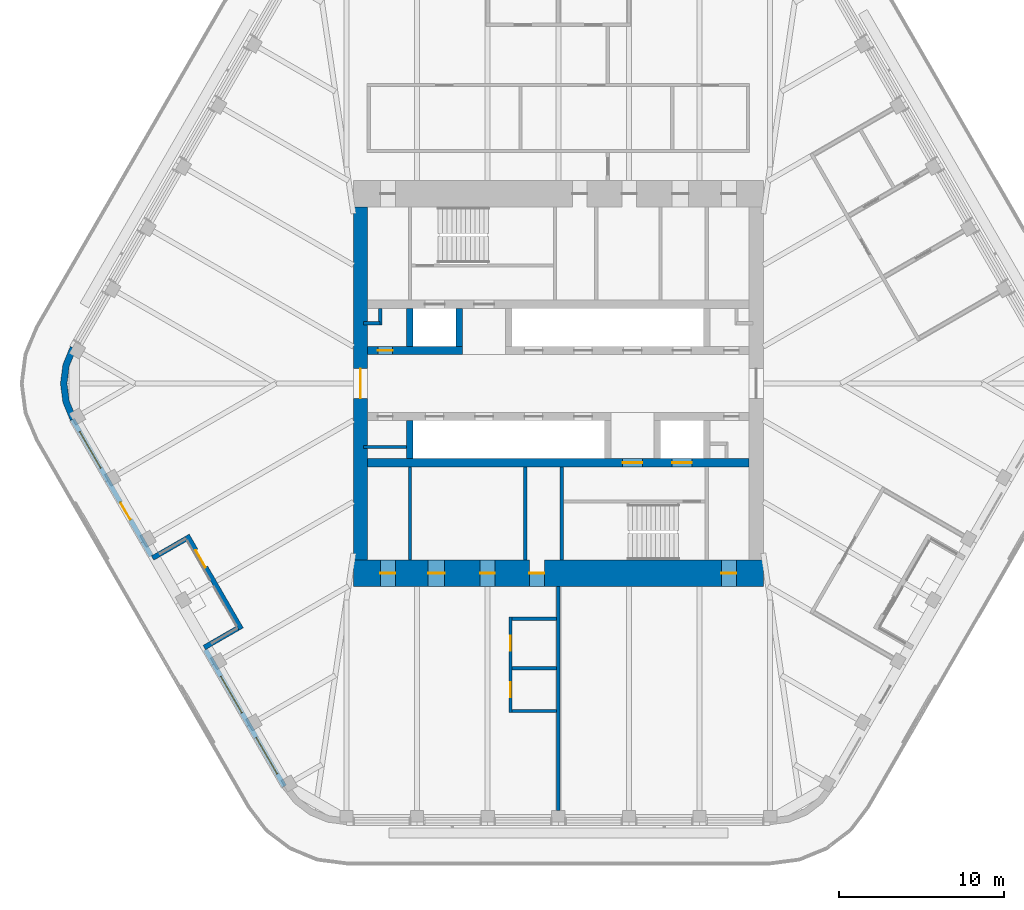
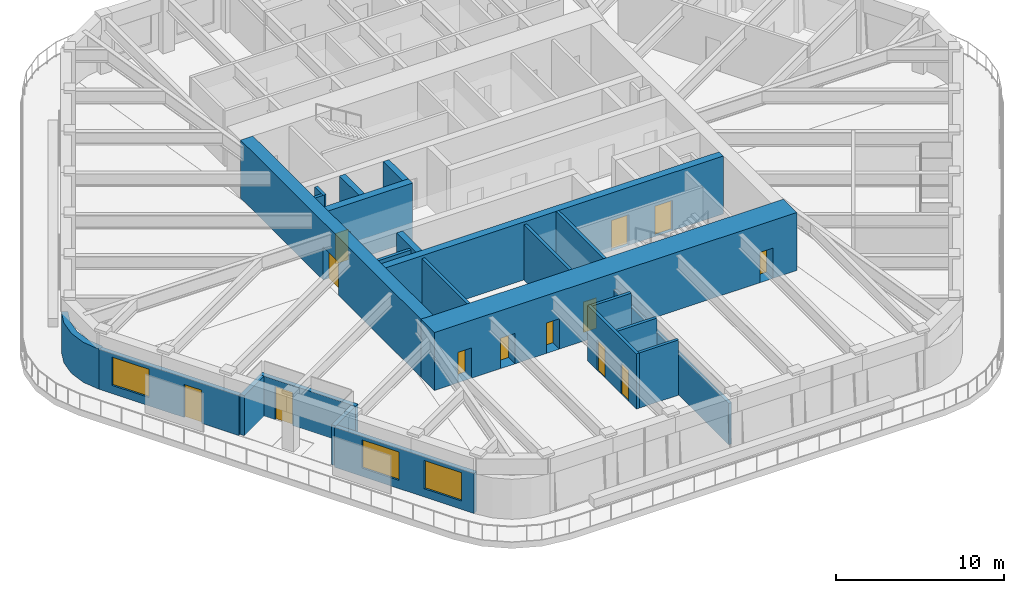
# One storey, part 13 of 19: 24 walls, 13 doors, 3 windows, 16 openings.
"""IFC4 building model written with IfcOpenShell, lengths in metres."""

from ifc_helpers import new_model, si_unit, direction, frame, frame_2d, origin, place, context, subcontext, project, spatial, polyline, rectangle, outline, extrude, material, layer, layer_set, type_object, element, fill, save


model = new_model("IFC4")

# Units and contexts
model_context = context("Model", 3, precision=1e-05, world=origin(), true_north=direction((0.0, 1.0)))
body_context = subcontext(model_context, "Body", "Model", "MODEL_VIEW")
ifc_project = project(units=[si_unit("LENGTHUNIT", "METRE"), si_unit("AREAUNIT", "SQUARE_METRE"), si_unit("VOLUMEUNIT", "CUBIC_METRE"), si_unit("PLANEANGLEUNIT", "RADIAN"), si_unit("MASSUNIT", "GRAM", prefix="KILO")], contexts=[model_context])

# Site, building, storey
site_placement = place(None, origin())
site = spatial("IfcSite", under=ifc_project, at=site_placement, CompositionType="ELEMENT")
building_placement = place(site_placement, origin())
building = spatial("IfcBuilding", under=site, at=building_placement, Name="Tarfa Lantern Tower", CompositionType="ELEMENT")
storey_placement = place(building_placement, frame((0.0, 0.0, 374.5)))
storey = spatial("IfcBuildingStorey", under=building, at=storey_placement, Name="L85", CompositionType="ELEMENT", Elevation=374.5)

# Wall, openings, door, window
ifc_material_1 = material(Name="Limestone cladding on blockwork", Category="masonry")
ifc_layer_1 = layer(ifc_material_1, 0.300048828125)
ifc_layer_set_1 = layer_set([ifc_layer_1], Name="EW1 STONE-CLAD WALL 300")
wall_type_1 = type_object("IfcWallType", Name="EW1 STONE-CLAD WALL 300", PredefinedType="SOLIDWALL", material=ifc_layer_set_1)
wall_1_placement = place(storey_placement, frame((-29.459228515625, -2.175048828125, 0.0), z_axis=(0.0, 0.0, 1.0), x_axis=(0.499996453679, -0.866027451244, 0.0)))
wall_1 = element("IfcWall", 1, at=wall_1_placement, inside=storey, type_object=wall_type_1, Name="Stone wall SW", PredefinedType="SOLIDWALL", context=body_context, shape_type="SweptSolid", body=[
    extrude(rectangle(XDim=9.56396484375, YDim=0.300048828125, at=frame_2d((4.781982421875, 0.0))), origin(), (0.0, 0.0, 1.0), 2.89990234375),
])
opening_1_placement = place(wall_1_placement, frame((0.865966796875, 0.0, 0.60009765625)))
opening_1 = element("IfcOpeningElement", 2, at=opening_1_placement, cuts=wall_1, Name="Opening W17", PredefinedType="OPENING", context=body_context, shape_type="SweptSolid", body=[
    extrude(rectangle(XDim=2.550048828125, YDim=2.050048828125, at=frame_2d((1.27490234375, 1.02490234375))), frame((0.0, 0.159912109375, 0.0), z_axis=(0.0, -1.0, 0.0), x_axis=(1.0, 0.0, 0.0)), (0.0, 0.0, 1.0), 0.320068359375),
])
opening_2_placement = place(wall_1_placement, frame((5.822998046875, 0.0, 0.0)))
opening_2 = element("IfcOpeningElement", 3, at=opening_2_placement, cuts=wall_1, Name="Opening D38", PredefinedType="OPENING", context=body_context, shape_type="SweptSolid", body=[
    extrude(rectangle(XDim=1.199951171875, YDim=2.39990234375, at=frame_2d((0.60009765625, 1.199951171875))), frame((0.0, 0.159912109375, 0.0), z_axis=(0.0, -1.0, 0.0), x_axis=(1.0, 0.0, 0.0)), (0.0, 0.0, 1.0), 0.320068359375),
])
ifc_material_2 = material(Name="Aluminium framed glazed door", Category="aluminium")
door_type_1 = type_object("IfcDoorType", Name="BE3 BALCONY DOOR 1200x2400", OperationType="SINGLE_SWING_RIGHT", PredefinedType="DOOR", material=ifc_material_2)
door_1_placement = place(opening_2_placement, origin())
door_1 = element("IfcDoor", 4, at=door_1_placement, inside=storey, type_object=door_type_1, Name="Balcony door SW", OperationType="SINGLE_SWING_LEFT", OverallHeight=2.39990234375, OverallWidth=1.199951171875, PredefinedType="DOOR", context=body_context, shape_type="SweptSolid", body=[
    extrude(rectangle(XDim=1.199951171875, YDim=2.39990234375, at=frame_2d((0.60009765625, 1.199951171875))), frame((0.0, 0.02490234375, 0.0), z_axis=(0.0, -1.0, 0.0), x_axis=(1.0, 0.0, 0.0)), (0.0, 0.0, 1.0), 0.050048828125),
])
fill(opening_2, door_1)
ifc_material_3 = material(Name="Aluminium frame, double glazed", Category="aluminium")
window_type = type_object("IfcWindowType", Name="W17 FULL-HEIGHT GLAZING 2550x2050", PartitioningType="SINGLE_PANEL", PredefinedType="WINDOW", material=ifc_material_3)
window_1_placement = place(opening_1_placement, origin())
window_1 = element("IfcWindow", 5, at=window_1_placement, inside=storey, type_object=window_type, Name="Window SW 1", OverallHeight=2.050048828125, OverallWidth=2.550048828125, PartitioningType="SINGLE_PANEL", PredefinedType="WINDOW", context=body_context, shape_type="SweptSolid", body=[
    extrude(rectangle(XDim=2.550048828125, YDim=2.050048828125, at=frame_2d((1.27490234375, 1.02490234375))), frame((0.0, 0.030029296875, 0.0), z_axis=(0.0, -1.0, 0.0), x_axis=(1.0, 0.0, 0.0)), (0.0, 0.0, 1.0), 0.06005859375),
])
fill(opening_1, window_1)

# Wall, openings, windows
wall_2_placement = place(storey_placement, frame((-21.395263671875, -16.142333984375, 0.0), z_axis=(0.0, 0.0, 1.0), x_axis=(0.499996453679, -0.866027451244, 0.0)))
wall_2 = element("IfcWall", 6, at=wall_2_placement, inside=storey, type_object=wall_type_1, Name="Stone wall SWB", PredefinedType="SOLIDWALL", context=body_context, shape_type="SweptSolid", body=[
    extrude(rectangle(XDim=9.56396484375, YDim=0.300048828125, at=frame_2d((4.781982421875, 0.0))), origin(), (0.0, 0.0, 1.0), 2.89990234375),
])
opening_3_placement = place(wall_2_placement, frame((1.865966796875, 0.0, 0.60009765625)))
opening_3 = element("IfcOpeningElement", 7, at=opening_3_placement, cuts=wall_2, Name="Opening W17", PredefinedType="OPENING", context=body_context, shape_type="SweptSolid", body=[
    extrude(rectangle(XDim=2.550048828125, YDim=2.050048828125, at=frame_2d((1.27490234375, 1.02490234375))), frame((0.0, 0.159912109375, 0.0), z_axis=(0.0, -1.0, 0.0), x_axis=(1.0, 0.0, 0.0)), (0.0, 0.0, 1.0), 0.320068359375),
])
opening_4_placement = place(wall_2_placement, frame((6.14794921875, 0.0, 0.60009765625)))
opening_4 = element("IfcOpeningElement", 8, at=opening_4_placement, cuts=wall_2, Name="Opening W17", PredefinedType="OPENING", context=body_context, shape_type="SweptSolid", body=[
    extrude(rectangle(XDim=2.550048828125, YDim=2.050048828125, at=frame_2d((1.27490234375, 1.02490234375))), frame((0.0, 0.159912109375, 0.0), z_axis=(0.0, -1.0, 0.0), x_axis=(1.0, 0.0, 0.0)), (0.0, 0.0, 1.0), 0.320068359375),
])
window_2_placement = place(opening_3_placement, origin())
window_2 = element("IfcWindow", 9, at=window_2_placement, inside=storey, type_object=window_type, Name="Window SWB 1", OverallHeight=2.050048828125, OverallWidth=2.550048828125, PartitioningType="SINGLE_PANEL", PredefinedType="WINDOW", context=body_context, shape_type="SweptSolid", body=[
    extrude(rectangle(XDim=2.550048828125, YDim=2.050048828125, at=frame_2d((1.27490234375, 1.02490234375))), frame((0.0, 0.030029296875, 0.0), z_axis=(0.0, -1.0, 0.0), x_axis=(1.0, 0.0, 0.0)), (0.0, 0.0, 1.0), 0.06005859375),
])
fill(opening_3, window_2)
window_3_placement = place(opening_4_placement, origin())
window_3 = element("IfcWindow", 10, at=window_3_placement, inside=storey, type_object=window_type, Name="Window SWB 2", OverallHeight=2.050048828125, OverallWidth=2.550048828125, PartitioningType="SINGLE_PANEL", PredefinedType="WINDOW", context=body_context, shape_type="SweptSolid", body=[
    extrude(rectangle(XDim=2.550048828125, YDim=2.050048828125, at=frame_2d((1.27490234375, 1.02490234375))), frame((0.0, 0.030029296875, 0.0), z_axis=(0.0, -1.0, 0.0), x_axis=(1.0, 0.0, 0.0)), (0.0, 0.0, 1.0), 0.06005859375),
])
fill(opening_4, window_3)

# Walls
for number, where, z_axis, x_axis, name in (
    (11, (-24.602294921875, -10.587646484375, 0.0), (0.0, 0.0, 1.0), (0.866016039709, 0.500016218704, 0.0), "Terrace return SW 1"),
    (12, (-21.47021484375, -16.012451171875, 0.0), (0.0, 0.0, 1.0), (0.866016039709, 0.500016218704, 0.0), "Terrace return SW 2"),
):
    element("IfcWall", number, at=place(storey_placement, frame(where, z_axis=z_axis, x_axis=x_axis)), inside=storey, type_object=wall_type_1, Name=name, PredefinedType="SOLIDWALL", context=body_context, shape_type="SweptSolid", body=[
        extrude(rectangle(XDim=2.35009765625, YDim=0.300048828125, at=frame_2d((1.175048828125, 0.0))), origin(), (0.0, 0.0, 1.0), 2.89990234375),
    ])

# Wall, opening, door
wall_3_placement = place(storey_placement, frame((-22.51220703125, -9.207763671875, 0.0), z_axis=(0.0, 0.0, 1.0), x_axis=(0.499999339774, -0.866025784966, 0.0)))
wall_3 = element("IfcWall", 13, at=wall_3_placement, inside=storey, type_object=wall_type_1, Name="Stone wall SWS", PredefinedType="SOLIDWALL", context=body_context, shape_type="SweptSolid", body=[
    extrude(rectangle(XDim=6.56396484375, YDim=0.300048828125, at=frame_2d((3.281982421875, 0.0))), origin(), (0.0, 0.0, 1.0), 2.89990234375),
])
opening_5_placement = place(wall_3_placement, frame((1.041015625, 0.0, 0.0)))
opening_5 = element("IfcOpeningElement", 14, at=opening_5_placement, cuts=wall_3, Name="Opening D39", PredefinedType="OPENING", context=body_context, shape_type="SweptSolid", body=[
    extrude(rectangle(XDim=1.199951171875, YDim=2.39990234375, at=frame_2d((0.60009765625, 1.199951171875))), frame((0.0, 0.159912109375, 0.0), z_axis=(0.0, -1.0, 0.0), x_axis=(1.0, 0.0, 0.0)), (0.0, 0.0, 1.0), 0.320068359375),
])
door_2_placement = place(opening_5_placement, origin())
door_2 = element("IfcDoor", 15, at=door_2_placement, inside=storey, type_object=door_type_1, Name="Balcony door SWS", OperationType="SINGLE_SWING_RIGHT", OverallHeight=2.39990234375, OverallWidth=1.199951171875, PredefinedType="DOOR", context=body_context, shape_type="SweptSolid", body=[
    extrude(rectangle(XDim=1.199951171875, YDim=2.39990234375, at=frame_2d((0.60009765625, 1.199951171875))), frame((0.0, 0.02490234375, 0.0), z_axis=(0.0, -1.0, 0.0), x_axis=(1.0, 0.0, 0.0)), (0.0, 0.0, 1.0), 0.050048828125),
])
fill(opening_5, door_2)

# Walls
ifc_layer_2 = layer(ifc_material_1, 0.39990234375)
ifc_layer_set_2 = layer_set([ifc_layer_2], Name="EW2 CURVED STONE CORNER 400")
wall_type_2 = type_object("IfcWallType", Name="EW2 CURVED STONE CORNER 400", PredefinedType="SOLIDWALL", material=ifc_layer_set_2)
wall_4_placement = place(storey_placement, origin())
element("IfcWall", 16, at=wall_4_placement, inside=storey, type_object=wall_type_2, Name="Stone corner NW-SW", PredefinedType="SOLIDWALL", context=body_context, shape_type="SweptSolid", body=[
    extrude(outline(polyline([(-29.589111328125, 2.25), (-30.038818359375, 1.164794921875), (-30.192138671875, 0.0), (-30.038818359375, -1.164794921875), (-29.589111328125, -2.25), (-29.24267578125, -2.050048828125), (-29.65234375, -1.061279296875), (-29.7919921875, 0.0), (-29.65234375, 1.061279296875), (-29.24267578125, 2.050048828125), (-29.589111328125, 2.25)])), origin(), (0.0, 0.0, 1.0), 2.89990234375),
])
ifc_material_4 = material(Name="Concrete blockwork", Category="masonry")
ifc_layer_3 = layer(ifc_material_4, 0.199951171875)
ifc_layer_set_3 = layer_set([ifc_layer_3], Name="IW1 BLOCKWORK PARTITION 200 EI 120")
wall_type_3 = type_object("IfcWallType", Name="IW1 BLOCKWORK PARTITION 200 EI 120", PredefinedType="PARTITIONING", material=ifc_layer_set_3)
for number, where, z_axis, x_axis, name in (
    (17, (-9.0, -5.050048828125, 0.0), (0.0, 0.0, 1.0), (0.0, -1.0, 0.0), "Core partition"),
    (18, (-2.0, -5.050048828125, 0.0), (0.0, 0.0, 1.0), (0.0, -1.0, 0.0), "Core partition"),
):
    element("IfcWall", number, at=place(storey_placement, frame(where, z_axis=z_axis, x_axis=x_axis)), inside=storey, type_object=wall_type_3, Name=name, PredefinedType="PARTITIONING", context=body_context, shape_type="SweptSolid", body=[
        extrude(rectangle(XDim=5.64990234375, YDim=0.199951171875, at=frame_2d((2.824951171875, 0.0))), origin(), (0.0, 0.0, 1.0), 4.0),
    ])
for number, where, z_axis, x_axis, name in (
    (19, (-11.800048828125, 3.64990234375, 0.0), (0.0, 0.0, 1.0), (1.0, 0.0, 0.0), "Core partition"),
    (20, (-10.800048828125, 3.550048828125, 0.0), (0.0, 0.0, 1.0), (0.0, 1.0, 0.0), "Core partition"),
):
    element("IfcWall", number, at=place(storey_placement, frame(where, z_axis=z_axis, x_axis=x_axis)), inside=storey, type_object=wall_type_3, Name=name, PredefinedType="PARTITIONING", context=body_context, shape_type="SweptSolid", body=[
        extrude(rectangle(XDim=1.0, YDim=0.199951171875, at=frame_2d((0.5, 0.0))), origin(), (0.0, 0.0, 1.0), 4.0),
    ])
wall_5_placement = place(storey_placement, frame((-9.199951171875, -3.85009765625, 0.0), z_axis=(0.0, 0.0, 1.0), x_axis=(-1.0, 0.0, 0.0)))
element("IfcWall", 21, at=wall_5_placement, inside=storey, type_object=wall_type_3, Name="Core partition", PredefinedType="PARTITIONING", context=body_context, shape_type="SweptSolid", body=[
    extrude(rectangle(XDim=2.60009765625, YDim=0.199951171875, at=frame_2d((1.300048828125, 0.0))), origin(), (0.0, 0.0, 1.0), 4.0),
])
ifc_material_5 = material(Name="Gypsum board on steel studs", Category="steel")
ifc_layer_4 = layer(ifc_material_5, 0.2099609375)
ifc_layer_set_4 = layer_set([ifc_layer_4], Name="IW2 ACOUSTIC PARTITION 200")
wall_type_4 = type_object("IfcWallType", Name="IW2 ACOUSTIC PARTITION 200", PredefinedType="PARTITIONING", material=ifc_layer_set_4)
wall_6_placement = place(storey_placement, frame((0.0, -12.300048828125, 0.0), z_axis=(0.0, 0.0, 1.0), x_axis=(0.0, -1.0, 0.0)))
element("IfcWall", 22, at=wall_6_placement, inside=storey, type_object=wall_type_4, Name="Partition", PredefinedType="PARTITIONING", context=body_context, shape_type="SweptSolid", body=[
    extrude(rectangle(XDim=13.599853515625, YDim=0.199951171875, at=frame_2d((6.7998046875, 0.0))), origin(), (0.0, 0.0, 1.0), 2.991943359375),
])

# Wall, openings, doors
wall_7_placement = place(storey_placement, frame((-2.89990234375, -14.159912109375, 0.0), z_axis=(0.0, 0.0, 1.0), x_axis=(0.0, -1.0, 0.0)))
wall_7 = element("IfcWall", 23, at=wall_7_placement, inside=storey, type_object=wall_type_4, Name="Partition", PredefinedType="PARTITIONING", context=body_context, shape_type="SweptSolid", body=[
    extrude(rectangle(XDim=5.800048828125, YDim=0.199951171875, at=frame_2d((2.89990234375, 0.0))), origin(), (0.0, 0.0, 1.0), 4.0),
])
opening_6_placement = place(wall_7_placement, frame((1.14990234375, 0.0, 0.0)))
opening_6 = element("IfcOpeningElement", 24, at=opening_6_placement, cuts=wall_7, Name="Opening D31", PredefinedType="OPENING", context=body_context, shape_type="SweptSolid", body=[
    extrude(rectangle(XDim=0.89990234375, YDim=2.199951171875, at=frame_2d((0.449951171875, 1.10009765625))), frame((0.0, 0.10986328125, 0.0), z_axis=(0.0, -1.0, 0.0), x_axis=(1.0, 0.0, 0.0)), (0.0, 0.0, 1.0), 0.219970703125),
])
opening_7_placement = place(wall_7_placement, frame((3.949951171875, 0.0, 0.0)))
opening_7 = element("IfcOpeningElement", 25, at=opening_7_placement, cuts=wall_7, Name="Opening D32", PredefinedType="OPENING", context=body_context, shape_type="SweptSolid", body=[
    extrude(rectangle(XDim=0.89990234375, YDim=2.199951171875, at=frame_2d((0.449951171875, 1.10009765625))), frame((0.0, 0.10986328125, 0.0), z_axis=(0.0, -1.0, 0.0), x_axis=(1.0, 0.0, 0.0)), (0.0, 0.0, 1.0), 0.219970703125),
])
ifc_material_6 = material(Name="Timber door", Category="wood")
door_type_2 = type_object("IfcDoorType", Name="DR3 ROOM DOOR 900x2200", OperationType="SINGLE_SWING_LEFT", PredefinedType="DOOR", material=ifc_material_6)
door_3_placement = place(opening_6_placement, origin())
door_3 = element("IfcDoor", 26, at=door_3_placement, inside=storey, type_object=door_type_2, Name="Wellness room door", OperationType="SINGLE_SWING_RIGHT", OverallHeight=2.199951171875, OverallWidth=0.89990234375, PredefinedType="DOOR", context=body_context, shape_type="SweptSolid", body=[
    extrude(rectangle(XDim=0.89990234375, YDim=2.199951171875, at=frame_2d((0.449951171875, 1.10009765625))), frame((0.0, 0.02490234375, 0.0), z_axis=(0.0, -1.0, 0.0), x_axis=(1.0, 0.0, 0.0)), (0.0, 0.0, 1.0), 0.050048828125),
])
fill(opening_6, door_3)
door_4_placement = place(opening_7_placement, origin())
door_4 = element("IfcDoor", 27, at=door_4_placement, inside=storey, type_object=door_type_2, Name="Quiet room door", OperationType="SINGLE_SWING_LEFT", OverallHeight=2.199951171875, OverallWidth=0.89990234375, PredefinedType="DOOR", context=body_context, shape_type="SweptSolid", body=[
    extrude(rectangle(XDim=0.89990234375, YDim=2.199951171875, at=frame_2d((0.449951171875, 1.10009765625))), frame((0.0, 0.02490234375, 0.0), z_axis=(0.0, -1.0, 0.0), x_axis=(1.0, 0.0, 0.0)), (0.0, 0.0, 1.0), 0.050048828125),
])
fill(opening_7, door_4)

# Walls
for number, where, z_axis, x_axis, name in (
    (28, (-0.10009765625, -14.260009765625, 0.0), (0.0, 0.0, 1.0), (-1.0, 0.0, 0.0), "Partition"),
    (29, (-0.10009765625, -17.260009765625, 0.0), (0.0, 0.0, 1.0), (-1.0, 0.0, 0.0), "Partition"),
    (30, (-0.10009765625, -19.860107421875, 0.0), (0.0, 0.0, 1.0), (-1.0, 0.0, 0.0), "Partition"),
):
    element("IfcWall", number, at=place(storey_placement, frame(where, z_axis=z_axis, x_axis=x_axis)), inside=storey, type_object=wall_type_4, Name=name, PredefinedType="PARTITIONING", context=body_context, shape_type="SweptSolid", body=[
        extrude(rectangle(XDim=2.699951171875, YDim=0.199951171875, at=frame_2d((1.35009765625, 0.0))), origin(), (0.0, 0.0, 1.0), 4.0),
    ])
ifc_material_7 = material(Name="Concrete C80/95", Category="concrete")
ifc_layer_5 = layer(ifc_material_7, 0.199951171875)
ifc_layer_set_5 = layer_set([ifc_layer_5], Name="SW12 CORE WALL 200")
wall_type_5 = type_object("IfcWallType", Name="SW12 CORE WALL 200", PredefinedType="SHEAR", material=ifc_layer_set_5)
wall_8_placement = place(storey_placement, frame((0.199951171875, -5.050048828125, 0.0), z_axis=(0.0, 0.0, 1.0), x_axis=(0.0, -1.0, 0.0)))
element("IfcWall", 31, at=wall_8_placement, inside=storey, type_object=wall_type_5, Name="Core wall stair shaft S", PredefinedType="SHEAR", context=body_context, shape_type="SweptSolid", body=[
    extrude(rectangle(XDim=5.64990234375, YDim=0.199951171875, at=frame_2d((2.824951171875, 0.0))), origin(), (0.0, 0.0, 1.0), 4.199951171875),
])

# Wall, opening, door
ifc_layer_6 = layer(ifc_material_7, 0.85009765625)
ifc_layer_set_6 = layer_set([ifc_layer_6], Name="SW3 CORE WALL 850")
wall_type_6 = type_object("IfcWallType", Name="SW3 CORE WALL 850", PredefinedType="SHEAR", material=ifc_layer_set_6)
wall_9_placement = place(storey_placement, frame((-12.0, 10.699951171875, 0.0), z_axis=(0.0, 0.0, 1.0), x_axis=(0.0, -1.0, 0.0)))
wall_9 = element("IfcWall", 32, at=wall_9_placement, inside=storey, type_object=wall_type_6, Name="Core wall W", PredefinedType="SHEAR", context=body_context, shape_type="SweptSolid", body=[
    extrude(rectangle(XDim=21.39990234375, YDim=0.85009765625, at=frame_2d((10.699951171875, 0.0))), origin(), (0.0, 0.0, 1.0), 4.199951171875),
])
opening_8_placement = place(wall_9_placement, frame((9.800048828125, 0.0, 0.0)))
opening_8 = element("IfcOpeningElement", 33, at=opening_8_placement, cuts=wall_9, Name="Opening D08", PredefinedType="OPENING", context=body_context, shape_type="SweptSolid", body=[
    extrude(rectangle(XDim=1.800048828125, YDim=2.39990234375, at=frame_2d((0.89990234375, 1.199951171875))), frame((0.0, 0.43505859375, 0.0), z_axis=(0.0, -1.0, 0.0), x_axis=(1.0, 0.0, 0.0)), (0.0, 0.0, 1.0), 0.8701171875),
])
ifc_material_8 = material(Name="Steel fire door", Category="steel")
door_type_3 = type_object("IfcDoorType", Name="DL1 LOBBY DOOR 1800x2400", OperationType="DOUBLE_DOOR_SINGLE_SWING", PredefinedType="DOOR", material=ifc_material_8)
door_5_placement = place(opening_8_placement, frame((1.800048828125, 0.0, 0.0), z_axis=(0.0, 0.0, 1.0), x_axis=(-1.0, 0.0, 0.0)))
door_5 = element("IfcDoor", 34, at=door_5_placement, inside=storey, type_object=door_type_3, Name="Lift lobby door", OperationType="DOUBLE_DOOR_SINGLE_SWING", OverallHeight=2.39990234375, OverallWidth=1.800048828125, PredefinedType="DOOR", context=body_context, shape_type="SweptSolid", body=[
    extrude(rectangle(XDim=1.800048828125, YDim=2.39990234375, at=frame_2d((0.89990234375, 1.199951171875))), frame((0.0, 0.02490234375, 0.0), z_axis=(0.0, -1.0, 0.0), x_axis=(1.0, 0.0, 0.0)), (0.0, 0.0, 1.0), 0.050048828125),
])
fill(opening_8, door_5)

ifc_layer_7 = layer(ifc_material_7, 0.5)
ifc_layer_set_7 = layer_set([ifc_layer_7], Name="SW5 CORE WALL 500")
wall_type_7 = type_object("IfcWallType", Name="SW5 CORE WALL 500", PredefinedType="SHEAR", material=ifc_layer_set_7)
wall_10_placement = place(storey_placement, frame((-11.574951171875, 2.0, 0.0), z_axis=(0.0, 0.0, 1.0), x_axis=(1.0, 0.0, 0.0)))
wall_10 = element("IfcWall", 35, at=wall_10_placement, inside=storey, type_object=wall_type_7, Name="Core wall lobby west N", PredefinedType="SHEAR", context=body_context, shape_type="SweptSolid", body=[
    extrude(rectangle(XDim=5.77490234375, YDim=0.5, at=frame_2d((2.887451171875, 0.0))), origin(), (0.0, 0.0, 1.0), 4.199951171875),
])
opening_9_placement = place(wall_10_placement, frame((0.625, 0.0, 0.0)))
opening_9 = element("IfcOpeningElement", 36, at=opening_9_placement, cuts=wall_10, Name="Opening D11", PredefinedType="OPENING", context=body_context, shape_type="SweptSolid", body=[
    extrude(rectangle(XDim=0.89990234375, YDim=2.199951171875, at=frame_2d((0.449951171875, 1.10009765625))), frame((0.0, 0.260009765625, 0.0), z_axis=(0.0, -1.0, 0.0), x_axis=(1.0, 0.0, 0.0)), (0.0, 0.0, 1.0), 0.52001953125),
])
door_type_4 = type_object("IfcDoorType", Name="DF6 SERVICE ROOM DOOR 900x2200", OperationType="SINGLE_SWING_LEFT", PredefinedType="DOOR", material=ifc_material_8)
door_6_placement = place(opening_9_placement, origin())
door_6 = element("IfcDoor", 37, at=door_6_placement, inside=storey, type_object=door_type_4, Name="Service room door", OperationType="SINGLE_SWING_RIGHT", OverallHeight=2.199951171875, OverallWidth=0.89990234375, PredefinedType="DOOR", context=body_context, shape_type="SweptSolid", body=[
    extrude(rectangle(XDim=0.89990234375, YDim=2.199951171875, at=frame_2d((0.449951171875, 1.10009765625))), frame((0.0, 0.02490234375, 0.0), z_axis=(0.0, -1.0, 0.0), x_axis=(1.0, 0.0, 0.0)), (0.0, 0.0, 1.0), 0.050048828125),
])
fill(opening_9, door_6)

# Wall, openings, doors
wall_11_placement = place(storey_placement, frame((11.574951171875, -4.800048828125, 0.0), z_axis=(0.0, 0.0, 1.0), x_axis=(-1.0, 0.0, 0.0)))
wall_11 = element("IfcWall", 38, at=wall_11_placement, inside=storey, type_object=wall_type_7, Name="Core wall rear S", PredefinedType="SHEAR", context=body_context, shape_type="SweptSolid", body=[
    extrude(rectangle(XDim=23.14990234375, YDim=0.5, at=frame_2d((11.574951171875, 0.0))), origin(), (0.0, 0.0, 1.0), 4.199951171875),
])
opening_10_placement = place(wall_11_placement, frame((6.47509765625, 0.0, 0.0)))
opening_10 = element("IfcOpeningElement", 39, at=opening_10_placement, cuts=wall_11, Name="Opening D06", PredefinedType="OPENING", context=body_context, shape_type="SweptSolid", body=[
    extrude(rectangle(XDim=1.199951171875, YDim=2.199951171875, at=frame_2d((0.60009765625, 1.10009765625))), frame((0.0, 0.260009765625, 0.0), z_axis=(0.0, -1.0, 0.0), x_axis=(1.0, 0.0, 0.0)), (0.0, 0.0, 1.0), 0.52001953125),
])
opening_11_placement = place(wall_11_placement, frame((3.47509765625, 0.0, 0.0)))
opening_11 = element("IfcOpeningElement", 40, at=opening_11_placement, cuts=wall_11, Name="Opening LD02", PredefinedType="OPENING", context=body_context, shape_type="SweptSolid", body=[
    extrude(rectangle(XDim=1.199951171875, YDim=2.199951171875, at=frame_2d((0.60009765625, 1.10009765625))), frame((0.0, 0.260009765625, 0.0), z_axis=(0.0, -1.0, 0.0), x_axis=(1.0, 0.0, 0.0)), (0.0, 0.0, 1.0), 0.52001953125),
])
door_type_5 = type_object("IfcDoorType", Name="DF1 FIREFIGHTING LOBBY DOOR 1200x2200", OperationType="SINGLE_SWING_LEFT", PredefinedType="DOOR", material=ifc_material_8)
door_7_placement = place(opening_10_placement, origin())
door_7 = element("IfcDoor", 41, at=door_7_placement, inside=storey, type_object=door_type_5, Name="Firefighting lobby door", OperationType="SINGLE_SWING_LEFT", OverallHeight=2.199951171875, OverallWidth=1.199951171875, PredefinedType="DOOR", context=body_context, shape_type="SweptSolid", body=[
    extrude(rectangle(XDim=1.199951171875, YDim=2.199951171875, at=frame_2d((0.60009765625, 1.10009765625))), frame((0.0, 0.02490234375, 0.0), z_axis=(0.0, -1.0, 0.0), x_axis=(1.0, 0.0, 0.0)), (0.0, 0.0, 1.0), 0.050048828125),
])
fill(opening_10, door_7)
ifc_material_9 = material(Name="Stainless steel lift door", Category="steel")
door_type_6 = type_object("IfcDoorType", Name="LD1 LIFT LANDING DOOR 1200x2200", OperationType="SLIDING_TO_LEFT", PredefinedType="DOOR", material=ifc_material_9)
door_8_placement = place(opening_11_placement, origin())
door_8 = element("IfcDoor", 42, at=door_8_placement, inside=storey, type_object=door_type_6, Name="Landing door FL2", OperationType="SLIDING_TO_LEFT", OverallHeight=2.199951171875, OverallWidth=1.199951171875, PredefinedType="DOOR", context=body_context, shape_type="SweptSolid", body=[
    extrude(rectangle(XDim=1.199951171875, YDim=2.199951171875, at=frame_2d((0.60009765625, 1.10009765625))), frame((0.0, 0.02490234375, 0.0), z_axis=(0.0, -1.0, 0.0), x_axis=(1.0, 0.0, 0.0)), (0.0, 0.0, 1.0), 0.050048828125),
])
fill(opening_11, door_8)

# Walls
ifc_layer_8 = layer(ifc_material_7, 0.39990234375)
ifc_layer_set_8 = layer_set([ifc_layer_8], Name="SW6 CORE WALL 400")
wall_type_8 = type_object("IfcWallType", Name="SW6 CORE WALL 400", PredefinedType="SHEAR", material=ifc_layer_set_8)
for number, where, z_axis, x_axis, name in (
    (43, (-9.0, 2.25, 0.0), (0.0, 0.0, 1.0), (0.0, 1.0, 0.0), "Core wall divider N"),
    (44, (-6.0, 2.25, 0.0), (0.0, 0.0, 1.0), (0.0, 1.0, 0.0), "Core wall divider N"),
    (45, (-9.0, -2.25, 0.0), (0.0, 0.0, 1.0), (0.0, -1.0, 0.0), "Core wall divider S"),
):
    element("IfcWall", number, at=place(storey_placement, frame(where, z_axis=z_axis, x_axis=x_axis)), inside=storey, type_object=wall_type_8, Name=name, PredefinedType="SHEAR", context=body_context, shape_type="SweptSolid", body=[
        extrude(rectangle(XDim=2.300048828125, YDim=0.39990234375, at=frame_2d((1.14990234375, 0.0))), origin(), (0.0, 0.0, 1.0), 4.199951171875),
    ])

# Wall, openings, doors
ifc_layer_9 = layer(ifc_material_7, 1.60009765625)
ifc_layer_set_9 = layer_set([ifc_layer_9], Name="SW7 CORE WALL 1600")
wall_type_9 = type_object("IfcWallType", Name="SW7 CORE WALL 1600", PredefinedType="SHEAR", material=ifc_layer_set_9)
wall_12_placement = place(storey_placement, frame((12.425048828125, -11.5, 0.0), z_axis=(0.0, 0.0, 1.0), x_axis=(-1.0, 0.0, 0.0)))
wall_12 = element("IfcWall", 46, at=wall_12_placement, inside=storey, type_object=wall_type_9, Name="Core wall S", PredefinedType="SHEAR", context=body_context, shape_type="SweptSolid", body=[
    extrude(rectangle(XDim=24.85009765625, YDim=1.60009765625, at=frame_2d((12.425048828125, 0.0))), origin(), (0.0, 0.0, 1.0), 4.199951171875),
])
opening_12_placement = place(wall_12_placement, frame((13.27490234375, 0.0, 0.0)))
opening_12 = element("IfcOpeningElement", 47, at=opening_12_placement, cuts=wall_12, Name="Opening D14", PredefinedType="OPENING", context=body_context, shape_type="SweptSolid", body=[
    extrude(rectangle(XDim=0.89990234375, YDim=2.199951171875, at=frame_2d((0.449951171875, 1.10009765625))), frame((0.0, 0.81005859375, 0.0), z_axis=(0.0, -1.0, 0.0), x_axis=(1.0, 0.0, 0.0)), (0.0, 0.0, 1.0), 1.6201171875),
])
opening_13_placement = place(wall_12_placement, frame((16.27490234375, 0.0, 0.0)))
opening_13 = element("IfcOpeningElement", 48, at=opening_13_placement, cuts=wall_12, Name="Opening D16", PredefinedType="OPENING", context=body_context, shape_type="SweptSolid", body=[
    extrude(rectangle(XDim=0.89990234375, YDim=2.199951171875, at=frame_2d((0.449951171875, 1.10009765625))), frame((0.0, 0.81005859375, 0.0), z_axis=(0.0, -1.0, 0.0), x_axis=(1.0, 0.0, 0.0)), (0.0, 0.0, 1.0), 1.6201171875),
])
opening_14_placement = place(wall_12_placement, frame((19.324951171875, 0.0, 0.0)))
opening_14 = element("IfcOpeningElement", 49, at=opening_14_placement, cuts=wall_12, Name="Opening D18", PredefinedType="OPENING", context=body_context, shape_type="SweptSolid", body=[
    extrude(rectangle(XDim=1.0, YDim=2.199951171875, at=frame_2d((0.5, 1.10009765625))), frame((0.0, 0.81005859375, 0.0), z_axis=(0.0, -1.0, 0.0), x_axis=(1.0, 0.0, 0.0)), (0.0, 0.0, 1.0), 1.6201171875),
])
opening_15_placement = place(wall_12_placement, frame((1.637451171875, 0.0, 0.0)))
opening_15 = element("IfcOpeningElement", 50, at=opening_15_placement, cuts=wall_12, Name="Opening D04", PredefinedType="OPENING", context=body_context, shape_type="SweptSolid", body=[
    extrude(rectangle(XDim=0.89990234375, YDim=2.199951171875, at=frame_2d((0.449951171875, 1.10009765625))), frame((0.0, 0.81005859375, 0.0), z_axis=(0.0, -1.0, 0.0), x_axis=(1.0, 0.0, 0.0)), (0.0, 0.0, 1.0), 1.6201171875),
])
opening_16_placement = place(wall_12_placement, frame((22.3125, 0.0, 0.0)))
opening_16 = element("IfcOpeningElement", 51, at=opening_16_placement, cuts=wall_12, Name="Opening D02", PredefinedType="OPENING", context=body_context, shape_type="SweptSolid", body=[
    extrude(rectangle(XDim=0.89990234375, YDim=2.199951171875, at=frame_2d((0.449951171875, 1.10009765625))), frame((0.0, 0.81005859375, 0.0), z_axis=(0.0, -1.0, 0.0), x_axis=(1.0, 0.0, 0.0)), (0.0, 0.0, 1.0), 1.6201171875),
])
door_type_7 = type_object("IfcDoorType", Name="DF3 CORE ROOM DOOR 900x2200", OperationType="SINGLE_SWING_LEFT", PredefinedType="DOOR", material=ifc_material_8)
door_9_placement = place(opening_12_placement, frame((0.89990234375, 0.0, 0.0), z_axis=(0.0, 0.0, 1.0), x_axis=(-1.0, 0.0, 0.0)))
door_9 = element("IfcDoor", 52, at=door_9_placement, inside=storey, type_object=door_type_7, Name="Core door", OperationType="SINGLE_SWING_RIGHT", OverallHeight=2.199951171875, OverallWidth=0.89990234375, PredefinedType="DOOR", context=body_context, shape_type="SweptSolid", body=[
    extrude(rectangle(XDim=0.89990234375, YDim=2.199951171875, at=frame_2d((0.449951171875, 1.10009765625))), frame((0.0, 0.02490234375, 0.0), z_axis=(0.0, -1.0, 0.0), x_axis=(1.0, 0.0, 0.0)), (0.0, 0.0, 1.0), 0.050048828125),
])
fill(opening_12, door_9)
door_10_placement = place(opening_13_placement, frame((0.89990234375, 0.0, 0.0), z_axis=(0.0, 0.0, 1.0), x_axis=(-1.0, 0.0, 0.0)))
door_10 = element("IfcDoor", 53, at=door_10_placement, inside=storey, type_object=door_type_7, Name="Core door", OperationType="SINGLE_SWING_LEFT", OverallHeight=2.199951171875, OverallWidth=0.89990234375, PredefinedType="DOOR", context=body_context, shape_type="SweptSolid", body=[
    extrude(rectangle(XDim=0.89990234375, YDim=2.199951171875, at=frame_2d((0.449951171875, 1.10009765625))), frame((0.0, 0.02490234375, 0.0), z_axis=(0.0, -1.0, 0.0), x_axis=(1.0, 0.0, 0.0)), (0.0, 0.0, 1.0), 0.050048828125),
])
fill(opening_13, door_10)
door_type_8 = type_object("IfcDoorType", Name="DF4 CORE ROOM DOOR 1000x2200", OperationType="SINGLE_SWING_LEFT", PredefinedType="DOOR", material=ifc_material_8)
door_11_placement = place(opening_14_placement, frame((1.0, 0.0, 0.0), z_axis=(0.0, 0.0, 1.0), x_axis=(-1.0, 0.0, 0.0)))
door_11 = element("IfcDoor", 54, at=door_11_placement, inside=storey, type_object=door_type_8, Name="Core door", OperationType="SINGLE_SWING_RIGHT", OverallHeight=2.199951171875, OverallWidth=1.0, PredefinedType="DOOR", context=body_context, shape_type="SweptSolid", body=[
    extrude(rectangle(XDim=1.0, YDim=2.199951171875, at=frame_2d((0.5, 1.10009765625))), frame((0.0, 0.02490234375, 0.0), z_axis=(0.0, -1.0, 0.0), x_axis=(1.0, 0.0, 0.0)), (0.0, 0.0, 1.0), 0.050048828125),
])
fill(opening_14, door_11)
door_type_9 = type_object("IfcDoorType", Name="DF5 RISER DOOR 900x2200", OperationType="SINGLE_SWING_LEFT", PredefinedType="DOOR", material=ifc_material_8)
door_12_placement = place(opening_15_placement, frame((0.89990234375, 0.0, 0.0), z_axis=(0.0, 0.0, 1.0), x_axis=(-1.0, 0.0, 0.0)))
door_12 = element("IfcDoor", 55, at=door_12_placement, inside=storey, type_object=door_type_9, Name="Riser door", OperationType="SINGLE_SWING_LEFT", OverallHeight=2.199951171875, OverallWidth=0.89990234375, PredefinedType="DOOR", context=body_context, shape_type="SweptSolid", body=[
    extrude(rectangle(XDim=0.89990234375, YDim=2.199951171875, at=frame_2d((0.449951171875, 1.10009765625))), frame((0.0, 0.02490234375, 0.0), z_axis=(0.0, -1.0, 0.0), x_axis=(1.0, 0.0, 0.0)), (0.0, 0.0, 1.0), 0.050048828125),
])
fill(opening_15, door_12)
door_13_placement = place(opening_16_placement, frame((0.89990234375, 0.0, 0.0), z_axis=(0.0, 0.0, 1.0), x_axis=(-1.0, 0.0, 0.0)))
door_13 = element("IfcDoor", 56, at=door_13_placement, inside=storey, type_object=door_type_9, Name="Riser door", OperationType="SINGLE_SWING_RIGHT", OverallHeight=2.199951171875, OverallWidth=0.89990234375, PredefinedType="DOOR", context=body_context, shape_type="SweptSolid", body=[
    extrude(rectangle(XDim=0.89990234375, YDim=2.199951171875, at=frame_2d((0.449951171875, 1.10009765625))), frame((0.0, 0.02490234375, 0.0), z_axis=(0.0, -1.0, 0.0), x_axis=(1.0, 0.0, 0.0)), (0.0, 0.0, 1.0), 0.050048828125),
])
fill(opening_16, door_13)

save(model, "model.ifc")
